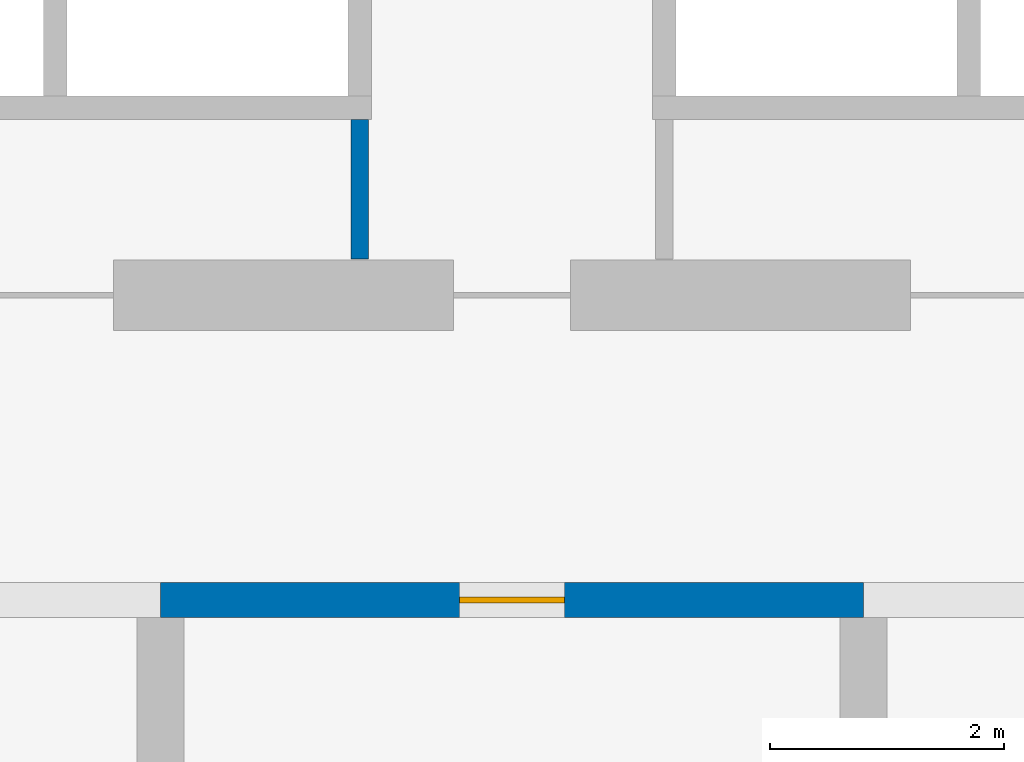
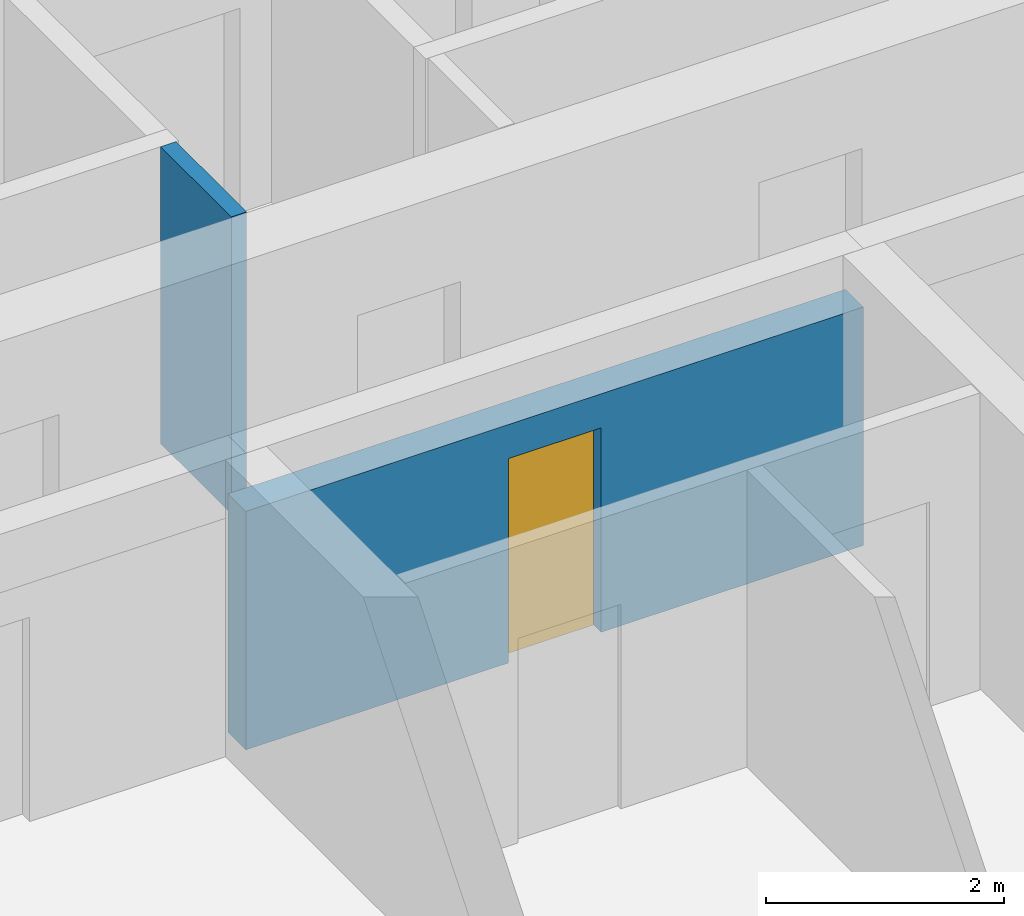
# One storey, part 9 of 21: 2 walls, 1 door, 1 opening.
"""IFC4 building model written with IfcOpenShell, lengths in metres."""

from ifc_helpers import new_model, si_unit, direction, frame, frame_2d, origin, place, context, subcontext, project, spatial, rectangle, extrude, material, layer, layer_set, type_object, element, fill, save


model = new_model("IFC4")

# Units and contexts
model_context = context("Model", 3, precision=1e-05, world=origin(), true_north=direction((0.0, 1.0)))
body_context = subcontext(model_context, "Body", "Model", "MODEL_VIEW")
ifc_project = project(units=[si_unit("LENGTHUNIT", "METRE"), si_unit("AREAUNIT", "SQUARE_METRE"), si_unit("VOLUMEUNIT", "CUBIC_METRE"), si_unit("PLANEANGLEUNIT", "RADIAN"), si_unit("MASSUNIT", "GRAM", prefix="KILO")], contexts=[model_context])

# Site, building, storey
site_placement = place(None, origin())
site = spatial("IfcSite", under=ifc_project, at=site_placement, CompositionType="ELEMENT")
building_placement = place(site_placement, origin())
building = spatial("IfcBuilding", under=site, at=building_placement, Name="Poui Terraces", CompositionType="ELEMENT")
storey_placement = place(building_placement, frame((0.0, 0.0, 53.10009765625)))
storey = spatial("IfcBuildingStorey", under=building, at=storey_placement, Name="L14", CompositionType="ELEMENT", Elevation=53.10009765625)

# Wall
ifc_material_1 = material(Name="Fire-rated plasterboard wall")
ifc_layer_1 = layer(ifc_material_1, 0.14990234375)
ifc_layer_set_1 = layer_set([ifc_layer_1], Name="Fire-rated plasterboard wall")
wall_type_1 = type_object("IfcWallType", Name="CORRIDOR WALL 150", PredefinedType="PARTITIONING", material=ifc_layer_set_1)
wall_1_placement = place(storey_placement, frame((49.699951171875, 14.909912109375, 0.0), z_axis=(0.0, 0.0, 1.0), x_axis=(0.0, 1.0, 0.0)))
element("IfcWall", 1, at=wall_1_placement, inside=storey, type_object=wall_type_1, Name="CORRIDOR WALL 150", PredefinedType="PARTITIONING", context=body_context, shape_type="SweptSolid", body=[
    extrude(rectangle(XDim=1.190185546875, YDim=0.14990234375, at=frame_2d((0.59521484375, 0.0))), origin(), (0.0, 0.0, 1.0), 3.0498046875),
])

# Wall, opening, door
ifc_material_2 = material(Name="Concrete 80 MPa", Category="concrete")
ifc_layer_2 = layer(ifc_material_2, 0.300048828125)
ifc_layer_set_2 = layer_set([ifc_layer_2], Name="Concrete 80 MPa")
wall_type_2 = type_object("IfcWallType", Name="CORRIDOR WALL 300 80MPa", PredefinedType="SHEAR", material=ifc_layer_set_2)
wall_2_placement = place(storey_placement, frame((48.0, 12.0, 0.0), z_axis=(0.0, 0.0, 1.0), x_axis=(1.0, 0.0, 0.0)))
wall_2 = element("IfcWall", 2, at=wall_2_placement, inside=storey, type_object=wall_type_2, Name="CORRIDOR WALL LINE B BAY 8", PredefinedType="SHEAR", context=body_context, shape_type="SweptSolid", body=[
    extrude(rectangle(XDim=6.0, YDim=0.300048828125, at=frame_2d((3.0, 0.0))), origin(), (0.0, 0.0, 1.0), 2.449951171875),
])
opening_placement = place(wall_2_placement, frame((2.550048828125, 0.0, 0.0)))
opening = element("IfcOpeningElement", 3, at=opening_placement, cuts=wall_2, Name="Opening D90", PredefinedType="OPENING", context=body_context, shape_type="SweptSolid", body=[
    extrude(rectangle(XDim=0.89990234375, YDim=2.10009765625, at=frame_2d((0.449951171875, 1.050048828125))), frame((0.0, 0.16015625, 0.0), z_axis=(0.0, -1.0, 0.0), x_axis=(1.0, 0.0, 0.0)), (0.0, 0.0, 1.0), 0.320068359375),
])
ifc_material_3 = material(Name="Solid core timber door", Category="wood")
door_type = type_object("IfcDoorType", Name="INTERNAL DOOR 900 X 2100", OperationType="NOTDEFINED", PredefinedType="DOOR", material=ifc_material_3)
door_placement = place(opening_placement, origin())
door = element("IfcDoor", 4, at=door_placement, inside=storey, type_object=door_type, Name="INTERNAL DOOR 049", OperationType="SINGLE_SWING_RIGHT", OverallHeight=2.10009765625, OverallWidth=0.89990234375, PredefinedType="DOOR", context=body_context, shape_type="SweptSolid", body=[
    extrude(rectangle(XDim=0.89990234375, YDim=2.10009765625, at=frame_2d((0.449951171875, 1.050048828125))), frame((0.0, 0.02490234375, 0.0), z_axis=(0.0, -1.0, 0.0), x_axis=(1.0, 0.0, 0.0)), (0.0, 0.0, 1.0), 0.050048828125),
])
fill(opening, door)

save(model, "model.ifc")
